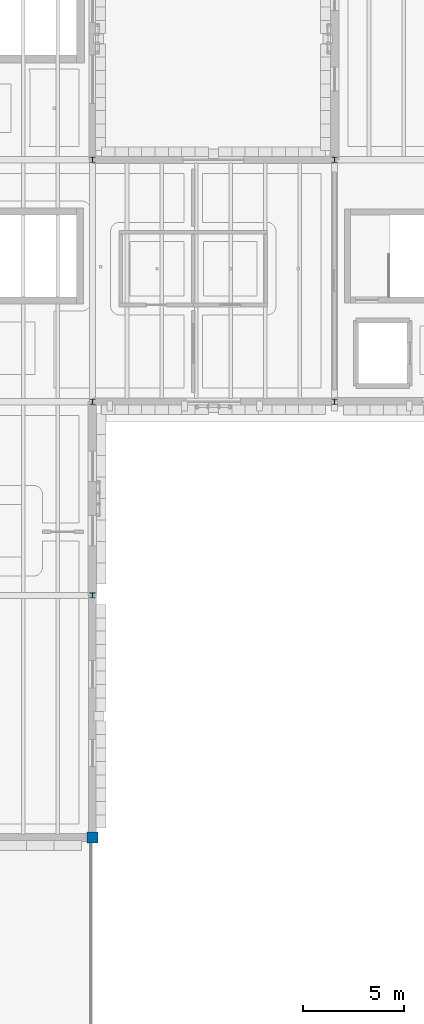
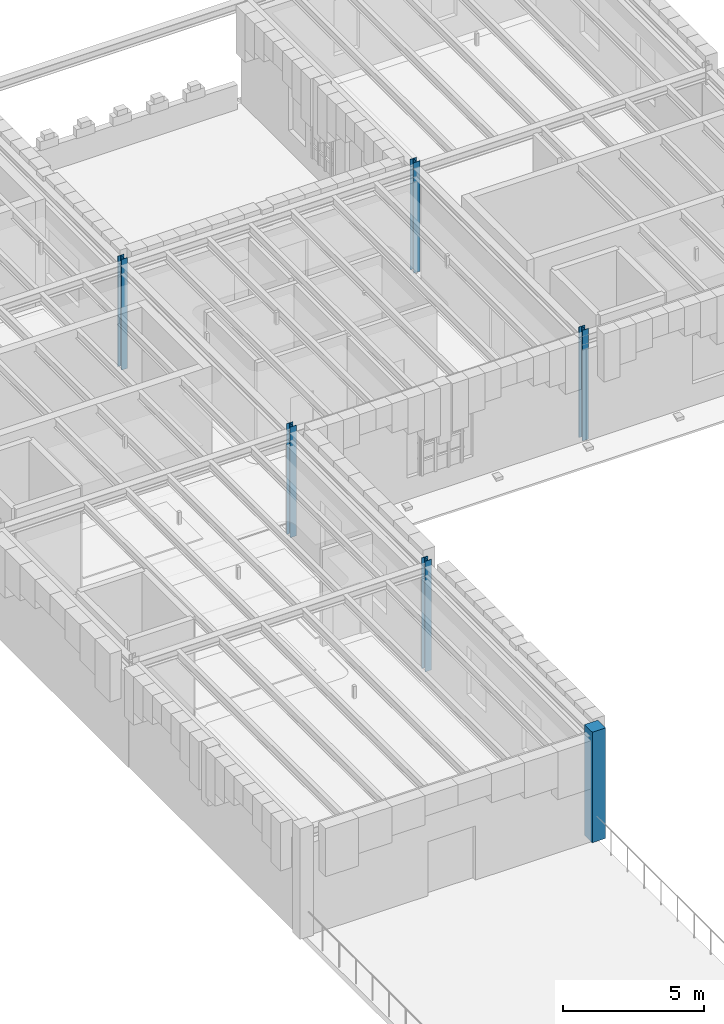
# One storey, part 3 of 35: 6 columns.
"""IFC4 building model written with IfcOpenShell, lengths in metres."""

from ifc_helpers import new_model, si_unit, direction, frame, origin, origin_2d, place, context, subcontext, project, spatial, rectangle, i_section, extrude, material, material_profile, profile_set, type_object, element, save


model = new_model("IFC4")

# Units and contexts
model_context = context("Model", 3, precision=1e-05, world=origin(), true_north=direction((0.0, 1.0)))
body_context = subcontext(model_context, "Body", "Model", "MODEL_VIEW")
ifc_project = project(units=[si_unit("LENGTHUNIT", "METRE"), si_unit("AREAUNIT", "SQUARE_METRE"), si_unit("VOLUMEUNIT", "CUBIC_METRE"), si_unit("PLANEANGLEUNIT", "RADIAN"), si_unit("MASSUNIT", "GRAM", prefix="KILO")], contexts=[model_context])

# Site, building, storey
site_placement = place(None, origin())
site = spatial("IfcSite", under=ifc_project, at=site_placement, CompositionType="ELEMENT")
building_placement = place(site_placement, origin())
building = spatial("IfcBuilding", under=site, at=building_placement, Name="Zlatogorsky Bluff Art Gallery", CompositionType="ELEMENT")
storey_placement = place(building_placement, frame((0.0, 0.0, 23.39990234375)))
storey = spatial("IfcBuildingStorey", under=building, at=storey_placement, Name="L04", CompositionType="ELEMENT", Elevation=23.39990234375)

# Columns
ifc_material_1 = material(Name="Steel S355", Category="steel")
ifc_material_profile_1 = material_profile(ifc_material_1, i_section(OverallWidth=0.260009765625, OverallDepth=0.260009765625, WebThickness=0.010009765625, FlangeThickness=0.017578125, FilletRadius=0.02392578125, at=origin_2d()), Name="HEB 260")
ifc_profile_set_1 = profile_set([ifc_material_profile_1], Name="Steel S355")
column_type_1 = type_object("IfcColumnType", Name="Column CL-08 HEB 260", PredefinedType="COLUMN", material=ifc_profile_set_1)
for number, where, z_axis, x_axis, name in (
    (1, (132.0, 74.39990234375, 0.0), (0.0, 0.0, 1.0), (1.0, 0.0, 0.0), "Column CL-08 L04 M8"),
    (2, (132.0, 84.0, 0.0), (0.0, 0.0, 1.0), (1.0, 0.0, 0.0), "Column CL-08 L04 M9"),
    (3, (132.0, 96.0, 0.0), (0.0, 0.0, 1.0), (1.0, 0.0, 0.0), "Column CL-08 L04 M10"),
    (4, (144.0, 84.0, 0.0), (0.0, 0.0, 1.0), (1.0, 0.0, 0.0), "Column CL-08 L04 N9"),
    (5, (144.0, 96.0, 0.0), (0.0, 0.0, 1.0), (1.0, 0.0, 0.0), "Column CL-08 L04 N10"),
):
    element("IfcColumn", number, at=place(storey_placement, frame(where, z_axis=z_axis, x_axis=x_axis)), inside=storey, type_object=column_type_1, Name=name, PredefinedType="COLUMN", context=body_context, shape_type="SweptSolid", body=[
        extrude(i_section(OverallWidth=0.260009765625, OverallDepth=0.260009765625, WebThickness=0.010009765625, FlangeThickness=0.017578125, FilletRadius=0.02392578125, at=origin_2d()), origin(), (0.0, 0.0, 1.0), 4.800048828125),
    ])
ifc_material_2 = material(Name="Concrete C35/45", Category="concrete")
ifc_material_profile_2 = material_profile(ifc_material_2, rectangle(XDim=0.550048828125, YDim=0.550048828125, at=origin_2d()), Name="RC 550x550")
ifc_profile_set_2 = profile_set([ifc_material_profile_2], Name="Concrete C35/45")
column_type_2 = type_object("IfcColumnType", Name="Column CL-16 RC 550x550", PredefinedType="COLUMN", material=ifc_profile_set_2)
column_placement = place(storey_placement, frame((132.0, 62.39990234375, 0.0), z_axis=(0.0, 0.0, 1.0), x_axis=(1.0, 0.0, 0.0)))
element("IfcColumn", 6, at=column_placement, inside=storey, type_object=column_type_2, Name="Column CL-16 L04 M7", PredefinedType="COLUMN", context=body_context, shape_type="SweptSolid", body=[
    extrude(rectangle(XDim=0.550048828125, YDim=0.550048828125, at=origin_2d()), origin(), (0.0, 0.0, 1.0), 4.800048828125),
])

save(model, "model.ifc")
